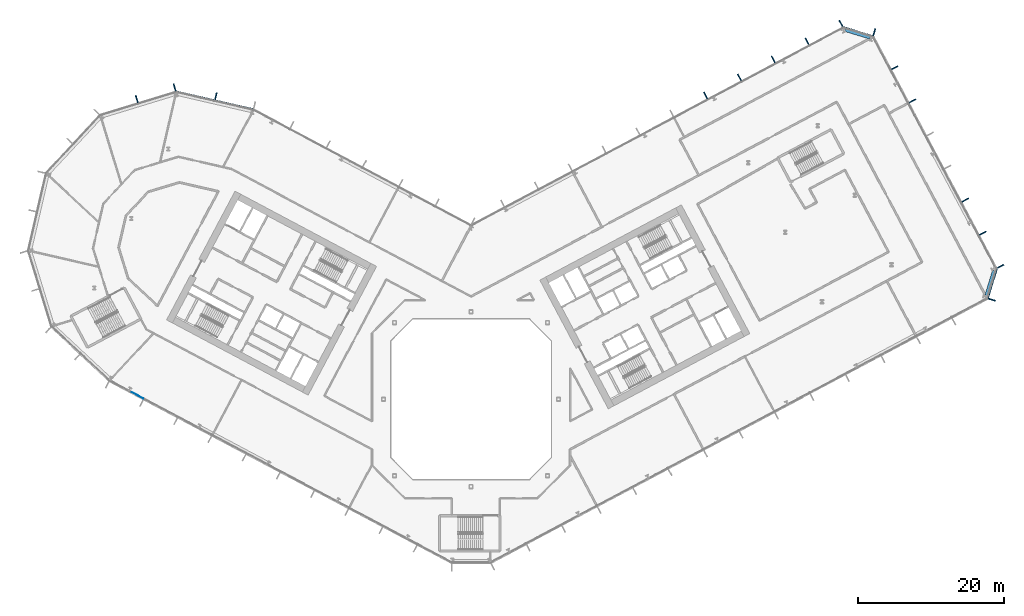
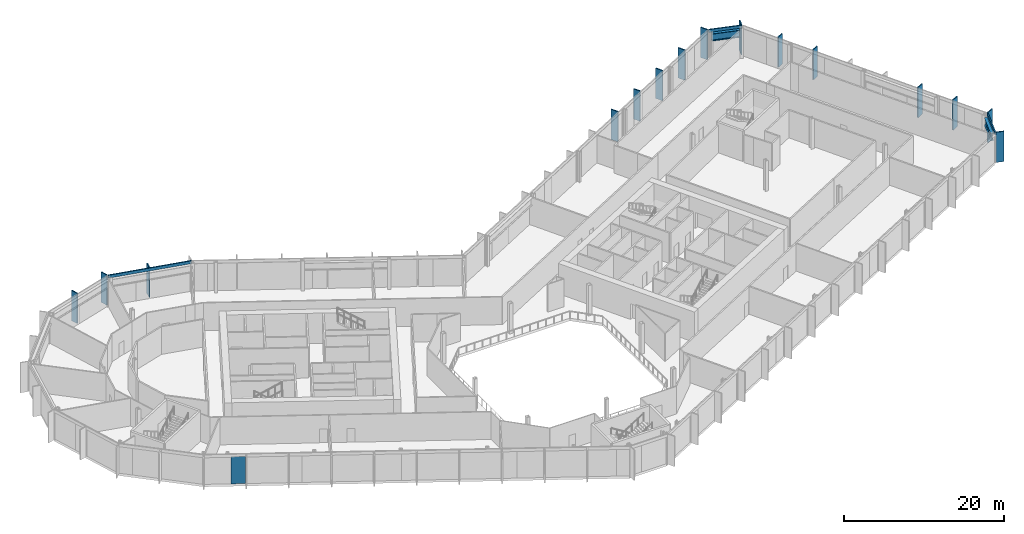
# One storey, part 9 of 30: 18 members, 2 beams, 1 plate, 7 elements without a shape of their own.
"""IFC4 building model written with IfcOpenShell, lengths in metres."""

from ifc_helpers import new_model, si_unit, direction, frame, origin, origin_2d, place, context, subcontext, project, spatial, rectangle, i_section, extrude, material, layer, layer_set, material_profile, profile_set, type_object, element, aggregate, save


model = new_model("IFC4")

# Units and contexts
model_context = context("Model", 3, precision=1e-05, world=origin(), true_north=direction((0.0, 1.0)))
body_context = subcontext(model_context, "Body", "Model", "MODEL_VIEW")
ifc_project = project(units=[si_unit("LENGTHUNIT", "METRE"), si_unit("AREAUNIT", "SQUARE_METRE"), si_unit("VOLUMEUNIT", "CUBIC_METRE"), si_unit("PLANEANGLEUNIT", "RADIAN"), si_unit("MASSUNIT", "GRAM", prefix="KILO")], contexts=[model_context])

# Site, building, storey
site_placement = place(None, origin())
site = spatial("IfcSite", under=ifc_project, at=site_placement, CompositionType="ELEMENT")
building_placement = place(site_placement, origin())
building = spatial("IfcBuilding", under=site, at=building_placement, Name="Cormorant Relay Tower", CompositionType="ELEMENT")
storey_placement = place(building_placement, frame((0.0, 0.0, 89.199951171875)))
storey = spatial("IfcBuildingStorey", under=building, at=storey_placement, Name="L17", CompositionType="ELEMENT", Elevation=89.199951171875)

# Curtain wall, member
ifc_material_1 = material(Name="Aluminium 6063-T6 anodised bronze", Category="aluminium")
ifc_layer_1 = layer(ifc_material_1, 0.199951171875)
ifc_layer_set_1 = layer_set([ifc_layer_1], Name="CW1 unitised bronze curtain wall with vertical fins")
curtain_wall_type = type_object("IfcCurtainWallType", Name="CW1 unitised bronze curtain wall with vertical fins", PredefinedType="NOTDEFINED", material=ifc_layer_set_1)
curtain_wall_1_placement = place(storey_placement, origin())
curtain_wall_1 = element("IfcCurtainWall", 1, at=curtain_wall_1_placement, inside=storey, type_object=curtain_wall_type, Name="CW1 curtain wall 3", PredefinedType="NOTDEFINED")
ifc_material_2 = material(Name="Aluminium 6063-T6 anodised bronze", Category="aluminium")
ifc_material_profile_1 = material_profile(ifc_material_2, rectangle(XDim=0.14990234375, YDim=1.0, at=origin_2d()), Name="AL 150x1000")
ifc_profile_set_1 = profile_set([ifc_material_profile_1], Name="Aluminium 6063-T6 anodised bronze")
member_type_1 = type_object("IfcMemberType", Name="CW1 bronze fin mullion 150 x 1000", PredefinedType="MULLION", material=ifc_profile_set_1)
member_1_placement = place(storey_placement, frame((71.45166015625, 13.64697265625, 0.0), z_axis=(0.0, 0.0, 1.0), x_axis=(0.292371704723, 0.956304755963, 0.0)))
member_1 = element("IfcMember", 2, at=member_1_placement, type_object=member_type_1, Name="CW1 fin 3.1", PredefinedType="MULLION", context=body_context, shape_type="SweptSolid", body=[
    extrude(rectangle(XDim=0.14990234375, YDim=1.0, at=origin_2d()), origin(), (0.0, 0.0, 1.0), 4.60009765625),
])

# Curtain wall, members
curtain_wall_2_placement = place(storey_placement, origin())
curtain_wall_2 = element("IfcCurtainWall", 3, at=curtain_wall_2_placement, inside=storey, type_object=curtain_wall_type, Name="CW1 curtain wall 4", PredefinedType="NOTDEFINED")
member_2_placement = place(storey_placement, frame((72.640869140625, 18.237548828125, 0.0), z_axis=(0.0, 0.0, 1.0), x_axis=(-0.469471562786, 0.882947592859, 0.0)))
member_2 = element("IfcMember", 4, at=member_2_placement, type_object=member_type_1, Name="CW1 fin 4.1", PredefinedType="MULLION", context=body_context, shape_type="SweptSolid", body=[
    extrude(rectangle(XDim=0.14990234375, YDim=1.0, at=origin_2d()), origin(), (0.0, 0.0, 1.0), 4.60009765625),
])
member_3_placement = place(storey_placement, frame((70.226318359375, 22.7783203125, 0.0), z_axis=(0.0, 0.0, 1.0), x_axis=(-0.469471562786, 0.882947592859, 0.0)))
member_3 = element("IfcMember", 5, at=member_3_placement, type_object=member_type_1, Name="CW1 fin 4.2", PredefinedType="MULLION", context=body_context, shape_type="SweptSolid", body=[
    extrude(rectangle(XDim=0.14990234375, YDim=1.0, at=origin_2d()), origin(), (0.0, 0.0, 1.0), 4.60009765625),
])
member_4_placement = place(storey_placement, frame((67.81201171875, 27.3193359375, 0.0), z_axis=(0.0, 0.0, 1.0), x_axis=(-0.469471562786, 0.882947592859, 0.0)))
member_4 = element("IfcMember", 6, at=member_4_placement, type_object=member_type_1, Name="CW1 fin 4.3", PredefinedType="MULLION", context=body_context, shape_type="SweptSolid", body=[
    extrude(rectangle(XDim=0.14990234375, YDim=1.0, at=origin_2d()), origin(), (0.0, 0.0, 1.0), 4.60009765625),
])
member_5_placement = place(storey_placement, frame((60.568603515625, 40.94189453125, 0.0), z_axis=(0.0, 0.0, 1.0), x_axis=(-0.469471562786, 0.882947592859, 0.0)))
member_5 = element("IfcMember", 7, at=member_5_placement, type_object=member_type_1, Name="CW1 fin 4.6", PredefinedType="MULLION", context=body_context, shape_type="SweptSolid", body=[
    extrude(rectangle(XDim=0.14990234375, YDim=1.0, at=origin_2d()), origin(), (0.0, 0.0, 1.0), 4.60009765625),
])
member_6_placement = place(storey_placement, frame((58.154296875, 45.48291015625, 0.0), z_axis=(0.0, 0.0, 1.0), x_axis=(-0.469471562786, 0.882947592859, 0.0)))
member_6 = element("IfcMember", 8, at=member_6_placement, type_object=member_type_1, Name="CW1 fin 4.7", PredefinedType="MULLION", context=body_context, shape_type="SweptSolid", body=[
    extrude(rectangle(XDim=0.14990234375, YDim=1.0, at=origin_2d()), origin(), (0.0, 0.0, 1.0), 4.60009765625),
])
aggregate(curtain_wall_2, [member_2, member_3, member_4, member_5, member_6])

# Curtain wall, member
curtain_wall_3_placement = place(storey_placement, origin())
curtain_wall_3 = element("IfcCurtainWall", 9, at=curtain_wall_3_placement, inside=storey, type_object=curtain_wall_type, Name="CW1 curtain wall 5", PredefinedType="NOTDEFINED")
member_7_placement = place(storey_placement, frame((55.326416015625, 50.364501953125, 0.0), z_axis=(0.0, 0.0, 1.0), x_axis=(-0.956304755963, 0.292371704723, 0.0)))
member_7 = element("IfcMember", 10, at=member_7_placement, type_object=member_type_1, Name="CW1 fin 5.1", PredefinedType="MULLION", context=body_context, shape_type="SweptSolid", body=[
    extrude(rectangle(XDim=0.14990234375, YDim=1.0, at=origin_2d()), origin(), (0.0, 0.0, 1.0), 4.60009765625),
])

# Curtain wall, members
curtain_wall_4_placement = place(storey_placement, origin())
curtain_wall_4 = element("IfcCurtainWall", 11, at=curtain_wall_4_placement, inside=storey, type_object=curtain_wall_type, Name="CW1 curtain wall 6", PredefinedType="NOTDEFINED")
member_8_placement = place(storey_placement, frame((50.73583984375, 51.553466796875, 0.0), z_axis=(0.0, 0.0, 1.0), x_axis=(-0.882947592859, -0.469471562786, 0.0)))
member_8 = element("IfcMember", 12, at=member_8_placement, type_object=member_type_1, Name="CW1 fin 6.1", PredefinedType="MULLION", context=body_context, shape_type="SweptSolid", body=[
    extrude(rectangle(XDim=0.14990234375, YDim=1.0, at=origin_2d()), origin(), (0.0, 0.0, 1.0), 4.60009765625),
])
member_9_placement = place(storey_placement, frame((46.093505859375, 49.085205078125, 0.0), z_axis=(0.0, 0.0, 1.0), x_axis=(-0.882947592859, -0.469471562786, 0.0)))
member_9 = element("IfcMember", 13, at=member_9_placement, type_object=member_type_1, Name="CW1 fin 6.2", PredefinedType="MULLION", context=body_context, shape_type="SweptSolid", body=[
    extrude(rectangle(XDim=0.14990234375, YDim=1.0, at=origin_2d()), origin(), (0.0, 0.0, 1.0), 4.60009765625),
])
member_10_placement = place(storey_placement, frame((41.451416015625, 46.616943359375, 0.0), z_axis=(0.0, 0.0, 1.0), x_axis=(-0.882947592859, -0.469471562786, 0.0)))
member_10 = element("IfcMember", 14, at=member_10_placement, type_object=member_type_1, Name="CW1 fin 6.3", PredefinedType="MULLION", context=body_context, shape_type="SweptSolid", body=[
    extrude(rectangle(XDim=0.14990234375, YDim=1.0, at=origin_2d()), origin(), (0.0, 0.0, 1.0), 4.60009765625),
])
member_11_placement = place(storey_placement, frame((36.80908203125, 44.148681640625, 0.0), z_axis=(0.0, 0.0, 1.0), x_axis=(-0.882947592859, -0.469471562786, 0.0)))
member_11 = element("IfcMember", 15, at=member_11_placement, type_object=member_type_1, Name="CW1 fin 6.4", PredefinedType="MULLION", context=body_context, shape_type="SweptSolid", body=[
    extrude(rectangle(XDim=0.14990234375, YDim=1.0, at=origin_2d()), origin(), (0.0, 0.0, 1.0), 4.60009765625),
])
member_12_placement = place(storey_placement, frame((32.1669921875, 41.68017578125, 0.0), z_axis=(0.0, 0.0, 1.0), x_axis=(-0.882947592859, -0.469471562786, 0.0)))
member_12 = element("IfcMember", 16, at=member_12_placement, type_object=member_type_1, Name="CW1 fin 6.5", PredefinedType="MULLION", context=body_context, shape_type="SweptSolid", body=[
    extrude(rectangle(XDim=0.14990234375, YDim=1.0, at=origin_2d()), origin(), (0.0, 0.0, 1.0), 4.60009765625),
])
aggregate(curtain_wall_4, [member_8, member_9, member_10, member_11, member_12])

# Curtain wall, member
curtain_wall_5_placement = place(storey_placement, origin())
curtain_wall_5 = element("IfcCurtainWall", 17, at=curtain_wall_5_placement, inside=storey, type_object=curtain_wall_type, Name="CW1 curtain wall 8", PredefinedType="NOTDEFINED")
member_13_placement = place(storey_placement, frame((-35.01220703125, 41.57275390625, 0.0), z_axis=(0.0, 0.0, 1.0), x_axis=(-0.974370064785, 0.224951054344, 0.0)))
member_13 = element("IfcMember", 18, at=member_13_placement, type_object=member_type_1, Name="CW1 fin 8.2", PredefinedType="MULLION", context=body_context, shape_type="SweptSolid", body=[
    extrude(rectangle(XDim=0.14990234375, YDim=1.0, at=origin_2d()), origin(), (0.0, 0.0, 1.0), 4.60009765625),
])

# Curtain wall, members
curtain_wall_6_placement = place(storey_placement, origin())
curtain_wall_6 = element("IfcCurtainWall", 19, at=curtain_wall_6_placement, inside=storey, type_object=curtain_wall_type, Name="CW1 curtain wall 9", PredefinedType="NOTDEFINED")
member_14_placement = place(storey_placement, frame((-40.670166015625, 42.78271484375, 0.0), z_axis=(0.0, 0.0, 1.0), x_axis=(-0.956304755963, -0.292371704723, 0.0)))
member_14 = element("IfcMember", 20, at=member_14_placement, type_object=member_type_1, Name="CW1 fin 9.1", PredefinedType="MULLION", context=body_context, shape_type="SweptSolid", body=[
    extrude(rectangle(XDim=0.14990234375, YDim=1.0, at=origin_2d()), origin(), (0.0, 0.0, 1.0), 4.60009765625),
])
member_15_placement = place(storey_placement, frame((-45.867919921875, 41.193603515625, 0.0), z_axis=(0.0, 0.0, 1.0), x_axis=(-0.956304755963, -0.292371704723, 0.0)))
member_15 = element("IfcMember", 21, at=member_15_placement, type_object=member_type_1, Name="CW1 fin 9.2", PredefinedType="MULLION", context=body_context, shape_type="SweptSolid", body=[
    extrude(rectangle(XDim=0.14990234375, YDim=1.0, at=origin_2d()), origin(), (0.0, 0.0, 1.0), 4.60009765625),
])
aggregate(curtain_wall_6, [member_14, member_15])

# Member
ifc_material_3 = material(Name="Aluminium 6063-T6 anodised bronze", Category="aluminium")
ifc_material_profile_2 = material_profile(ifc_material_3, rectangle(XDim=0.159912109375, YDim=0.449951171875, at=origin_2d()), Name="AL 160x450")
ifc_profile_set_2 = profile_set([ifc_material_profile_2], Name="Aluminium 6063-T6 anodised bronze")
member_type_2 = type_object("IfcMemberType", Name="CW1 bronze transom 160 x 450", PredefinedType="USERDEFINED", material=ifc_profile_set_2)
member_16_placement = place(storey_placement, frame((70.89697265625, 13.816650390625, 4.375), z_axis=(0.292391046905, 0.95629884225, 0.0), x_axis=(-0.95629884225, 0.292391046905, 0.0)))
member_16 = element("IfcMember", 22, at=member_16_placement, type_object=member_type_2, Name="CW1 transom 3", ObjectType="TRANSOM", PredefinedType="USERDEFINED", context=body_context, shape_type="SweptSolid", body=[
    extrude(rectangle(XDim=0.159912109375, YDim=0.449951171875, at=origin_2d()), origin(), (0.0, 0.0, 1.0), 4.242431640625),
])

aggregate(curtain_wall_1, [member_1, member_16])

member_17_placement = place(storey_placement, frame((55.15673828125, 49.809814453125, 4.375), z_axis=(-0.95629884225, 0.292391046905, 0.0), x_axis=(-0.292391046905, -0.95629884225, 0.0)))
member_17 = element("IfcMember", 23, at=member_17_placement, type_object=member_type_2, Name="CW1 transom 5", ObjectType="TRANSOM", PredefinedType="USERDEFINED", context=body_context, shape_type="SweptSolid", body=[
    extrude(rectangle(XDim=0.159912109375, YDim=0.449951171875, at=origin_2d()), origin(), (0.0, 0.0, 1.0), 4.242431640625),
])

aggregate(curtain_wall_3, [member_7, member_17])

member_18_placement = place(storey_placement, frame((-29.8466796875, 39.784912109375, 4.375), z_axis=(-0.974365070969, 0.224972683844, 0.0), x_axis=(-0.224972683844, -0.974365070969, 0.0)))
member_18 = element("IfcMember", 24, at=member_18_placement, type_object=member_type_2, Name="CW1 transom 8", ObjectType="TRANSOM", PredefinedType="USERDEFINED", context=body_context, shape_type="SweptSolid", body=[
    extrude(rectangle(XDim=0.159912109375, YDim=0.449951171875, at=origin_2d()), origin(), (0.0, 0.0, 1.0), 10.870361328125),
])

aggregate(curtain_wall_5, [member_13, member_18])

# Beams
ifc_material_4 = material(Name="Steel ASTM A992 (Fy 345 MPa)", Category="steel")
ifc_material_profile_3 = material_profile(ifc_material_4, i_section(OverallWidth=0.40380859375, OverallDepth=1.11767578125, WebThickness=0.026123046875, FlangeThickness=0.044921875, FilletRadius=0.02001953125, at=origin_2d()), Name="W1100x499")
ifc_profile_set_3 = profile_set([ifc_material_profile_3], Name="Steel ASTM A992 (Fy 345 MPa)")
beam_type = type_object("IfcBeamType", Name="Spandrel W1100x499", PredefinedType="SPANDREL", material=ifc_profile_set_3)
for number, where, z_axis, x_axis, name in (
    (25, (70.6943359375, 14.255126953125, 3.641357421875), (0.292423449705, 0.956288934403, 0.0), (-0.956288934403, 0.292423449705, 0.0), "Spandrel beam L17-003"),
    (26, (54.718017578125, 49.607421875, 3.641357421875), (-0.956308047674, 0.292360937806, 0.0), (-0.292360937806, -0.956308047674, 0.0), "Spandrel beam L17-005"),
):
    element("IfcBeam", number, at=place(storey_placement, frame(where, z_axis=z_axis, x_axis=x_axis)), inside=storey, type_object=beam_type, Name=name, PredefinedType="SPANDREL", context=body_context, shape_type="SweptSolid", body=[
        extrude(i_section(OverallWidth=0.40380859375, OverallDepth=1.11767578125, WebThickness=0.026123046875, FlangeThickness=0.044921875, FilletRadius=0.02001953125, at=origin_2d()), origin(), (0.0, 0.0, 1.0), 3.571533203125),
    ])

# Curtain wall, plate
curtain_wall_7_placement = place(storey_placement, origin())
curtain_wall_7 = element("IfcCurtainWall", 27, at=curtain_wall_7_placement, inside=storey, type_object=curtain_wall_type, Name="CW1 curtain wall 14", PredefinedType="NOTDEFINED")
ifc_material_5 = material(Name="Tinted laminated glass", Category="glass")
ifc_layer_2 = layer(ifc_material_5, 0.0400390625)
ifc_layer_set_2 = layer_set([ifc_layer_2], Name="CW1 tinted vision panel 1800 module")
plate_type = type_object("IfcPlateType", Name="CW1 tinted vision panel 1800 module", PredefinedType="CURTAIN_PANEL", material=ifc_layer_set_2)
plate_placement = place(storey_placement, frame((-45.767578125, 0.5283203125, 0.0), z_axis=(0.0, 0.0, 1.0), x_axis=(0.882947592859, -0.469471562786, 0.0)))
plate = element("IfcPlate", 28, at=plate_placement, type_object=plate_type, Name="CW1 panel V01", PredefinedType="CURTAIN_PANEL", context=body_context, shape_type="SweptSolid", body=[
    extrude(rectangle(XDim=1.800048828125, YDim=0.0400390625, at=origin_2d()), origin(), (0.0, 0.0, 1.0), 4.14990234375),
])
aggregate(curtain_wall_7, [plate])

save(model, "model.ifc")
